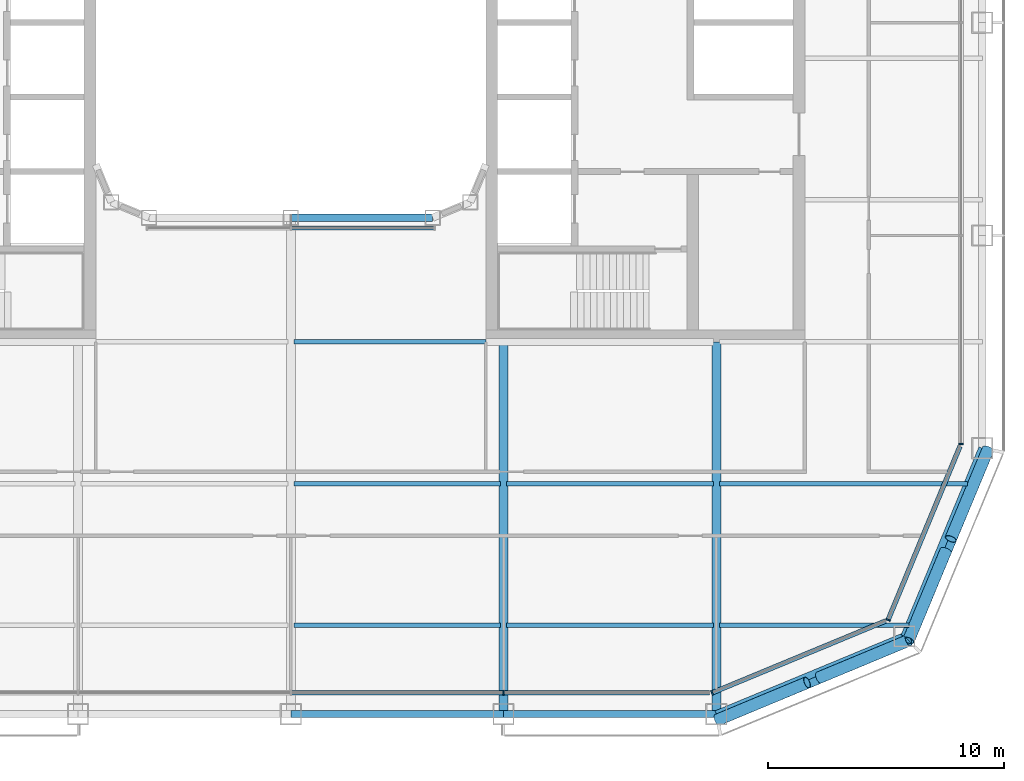
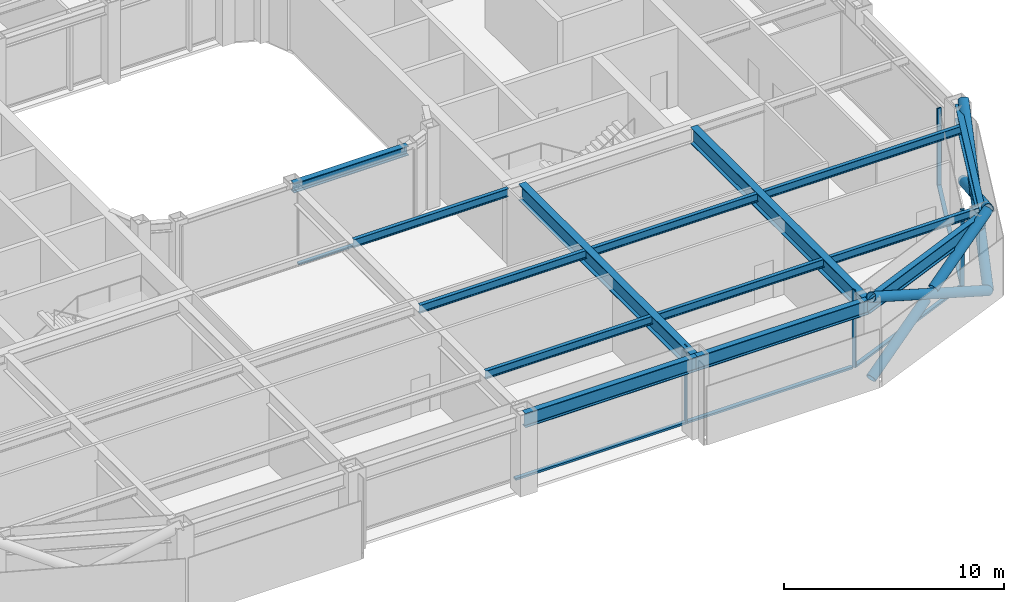
# One storey, part 4 of 21: 15 members, 14 beams, 5 elements without a shape of their own.
"""IFC4 building model written with IfcOpenShell, lengths in metres."""

from ifc_helpers import new_model, si_unit, direction, frame, origin, origin_2d, place, context, subcontext, project, spatial, rectangle, hollow_circle, i_section, extrude, material, layer, layer_set, material_profile, profile_set, type_object, element, aggregate, save


model = new_model("IFC4")

# Units and contexts
model_context = context("Model", 3, precision=1e-05, world=origin(), true_north=direction((0.0, 1.0)))
body_context = subcontext(model_context, "Body", "Model", "MODEL_VIEW")
ifc_project = project(units=[si_unit("LENGTHUNIT", "METRE"), si_unit("AREAUNIT", "SQUARE_METRE"), si_unit("VOLUMEUNIT", "CUBIC_METRE"), si_unit("PLANEANGLEUNIT", "RADIAN"), si_unit("MASSUNIT", "GRAM", prefix="KILO")], contexts=[model_context])

# Site, building, storey
site_placement = place(None, origin())
site = spatial("IfcSite", under=ifc_project, at=site_placement, CompositionType="ELEMENT")
building_placement = place(site_placement, origin())
building = spatial("IfcBuilding", under=site, at=building_placement, Name="Siwar Civic Tower", CompositionType="ELEMENT")
storey_placement = place(building_placement, frame((0.0, 0.0, 176.699951171875)))
storey = spatial("IfcBuildingStorey", under=building, at=storey_placement, Name="L38", CompositionType="ELEMENT", Elevation=176.699951171875)

# Curtain wall, member
ifc_material_1 = material(Name="Aluminium and glass", Category="aluminium")
ifc_layer_1 = layer(ifc_material_1, 0.199951171875)
ifc_layer_set_1 = layer_set([ifc_layer_1], Name="Aluminium and glass")
curtain_wall_type_1 = type_object("IfcCurtainWallType", Name="ENV-CW-B", PredefinedType="NOTDEFINED", material=ifc_layer_set_1)
curtain_wall_1_placement = place(storey_placement, origin())
curtain_wall_1 = element("IfcCurtainWall", 1, at=curtain_wall_1_placement, inside=storey, type_object=curtain_wall_type_1, Name="Curtain wall B S", PredefinedType="NOTDEFINED")
ifc_material_2 = material(Name="Aluminium 6063-T6", Category="aluminium")
ifc_material_profile_1 = material_profile(ifc_material_2, rectangle(XDim=0.199951171875, YDim=0.06494140625, at=origin_2d()), Name="AL 200x65")
ifc_profile_set_1 = profile_set([ifc_material_profile_1], Name="Aluminium 6063-T6")
member_type_1 = type_object("IfcMemberType", Name="ENV-MULLION-B", PredefinedType="MULLION", material=ifc_profile_set_1)
member_1_placement = place(storey_placement, frame((9.0, -28.35009765625, 0.0), z_axis=(0.0, 0.0, 1.0), x_axis=(0.0, 1.0, 0.0)))
member_1 = element("IfcMember", 2, at=member_1_placement, type_object=member_type_1, Name="Mullion B S 4", PredefinedType="MULLION", context=body_context, shape_type="SweptSolid", body=[
    extrude(rectangle(XDim=0.199951171875, YDim=0.06494140625, at=origin_2d()), origin(), (0.0, 0.0, 1.0), 4.300048828125),
])

ifc_material_3 = material(Name="Aluminium clad insulated panel", Category="aluminium")
ifc_layer_2 = layer(ifc_material_3, 0.199951171875)
ifc_layer_set_2 = layer_set([ifc_layer_2], Name="Aluminium clad insulated panel")
curtain_wall_type_2 = type_object("IfcCurtainWallType", Name="ENV-CW-BX", PredefinedType="NOTDEFINED", material=ifc_layer_set_2)
curtain_wall_2_placement = place(storey_placement, origin())
curtain_wall_2 = element("IfcCurtainWall", 3, at=curtain_wall_2_placement, inside=storey, type_object=curtain_wall_type_2, Name="Curtain wall B SE1", PredefinedType="NOTDEFINED")
member_2_placement = place(storey_placement, frame((17.821044921875, -28.35009765625, 0.0), z_axis=(0.0, 0.0, 1.0), x_axis=(-0.382683432365, 0.923879532511, 0.0)))
member_2 = element("IfcMember", 4, at=member_2_placement, type_object=member_type_1, Name="Mullion B SE1 1", PredefinedType="MULLION", context=body_context, shape_type="SweptSolid", body=[
    extrude(rectangle(XDim=0.199951171875, YDim=0.06494140625, at=origin_2d()), origin(), (0.0, 0.0, 1.0), 4.300048828125),
])

curtain_wall_3_placement = place(storey_placement, origin())
curtain_wall_3 = element("IfcCurtainWall", 5, at=curtain_wall_3_placement, inside=storey, type_object=curtain_wall_type_2, Name="Curtain wall B SE2", PredefinedType="NOTDEFINED")
member_3_placement = place(storey_placement, frame((25.26611328125, -25.26611328125, 0.0), z_axis=(0.0, 0.0, 1.0), x_axis=(-0.923879532511, 0.382683432365, 0.0)))
member_3 = element("IfcMember", 6, at=member_3_placement, type_object=member_type_1, Name="Mullion B SE2 1", PredefinedType="MULLION", context=body_context, shape_type="SweptSolid", body=[
    extrude(rectangle(XDim=0.199951171875, YDim=0.06494140625, at=origin_2d()), origin(), (0.0, 0.0, 1.0), 4.300048828125),
])

curtain_wall_4_placement = place(storey_placement, origin())
curtain_wall_4 = element("IfcCurtainWall", 7, at=curtain_wall_4_placement, inside=storey, type_object=curtain_wall_type_1, Name="Curtain wall B E", PredefinedType="NOTDEFINED")
member_4_placement = place(storey_placement, frame((28.35009765625, -17.821044921875, 0.0), z_axis=(0.0, 0.0, 1.0), x_axis=(-1.0, 0.0, 0.0)))
member_4 = element("IfcMember", 8, at=member_4_placement, type_object=member_type_1, Name="Mullion B E 1", PredefinedType="MULLION", context=body_context, shape_type="SweptSolid", body=[
    extrude(rectangle(XDim=0.199951171875, YDim=0.06494140625, at=origin_2d()), origin(), (0.0, 0.0, 1.0), 4.300048828125),
])
aggregate(curtain_wall_4, [member_4])

# Member
ifc_material_4 = material(Name="Aluminium 6063-T6", Category="aluminium")
ifc_material_profile_2 = material_profile(ifc_material_4, rectangle(XDim=0.199951171875, YDim=0.110107421875, at=origin_2d()), Name="AL 200x110")
ifc_profile_set_2 = profile_set([ifc_material_profile_2], Name="Aluminium 6063-T6")
member_type_2 = type_object("IfcMemberType", Name="ENV-TRANSOM-B", PredefinedType="USERDEFINED", material=ifc_profile_set_2)
member_5_placement = place(storey_placement, frame((0.032470703125, -28.35009765625, 0.054931640625), z_axis=(1.0, 0.0, 0.0), x_axis=(0.0, 1.0, 0.0)))
member_5 = element("IfcMember", 9, at=member_5_placement, type_object=member_type_2, Name="Transom B S 3", ObjectType="TRANSOM", PredefinedType="USERDEFINED", context=body_context, shape_type="SweptSolid", body=[
    extrude(rectangle(XDim=0.199951171875, YDim=0.110107421875, at=origin_2d()), origin(), (0.0, 0.0, 1.0), 8.93505859375),
])

member_6_placement = place(storey_placement, frame((9.032470703125, -28.35009765625, 0.054931640625), z_axis=(1.0, 0.0, 0.0), x_axis=(0.0, 1.0, 0.0)))
member_6 = element("IfcMember", 10, at=member_6_placement, type_object=member_type_2, Name="Transom B S 4", ObjectType="TRANSOM", PredefinedType="USERDEFINED", context=body_context, shape_type="SweptSolid", body=[
    extrude(rectangle(XDim=0.199951171875, YDim=0.110107421875, at=origin_2d()), origin(), (0.0, 0.0, 1.0), 8.6748046875),
])

aggregate(curtain_wall_1, [member_1, member_5, member_6])

member_7_placement = place(storey_placement, frame((17.85107421875, -28.337646484375, 0.054931640625), z_axis=(0.92387279587, 0.382699695651, 0.0), x_axis=(-0.382699695651, 0.92387279587, 0.0)))
member_7 = element("IfcMember", 11, at=member_7_placement, type_object=member_type_2, Name="Transom B SE1 1", ObjectType="TRANSOM", PredefinedType="USERDEFINED", context=body_context, shape_type="SweptSolid", body=[
    extrude(rectangle(XDim=0.199951171875, YDim=0.110107421875, at=origin_2d()), origin(), (0.0, 0.0, 1.0), 7.912353515625),
])

aggregate(curtain_wall_2, [member_2, member_7])

member_8_placement = place(storey_placement, frame((25.278564453125, -25.236083984375, 0.054931640625), z_axis=(0.382673358825, 0.923883705044, 0.0), x_axis=(-0.923883705044, 0.382673358825, 0.0)))
member_8 = element("IfcMember", 12, at=member_8_placement, type_object=member_type_2, Name="Transom B SE2 1", ObjectType="TRANSOM", PredefinedType="USERDEFINED", context=body_context, shape_type="SweptSolid", body=[
    extrude(rectangle(XDim=0.199951171875, YDim=0.110107421875, at=origin_2d()), origin(), (0.0, 0.0, 1.0), 7.912353515625),
])

aggregate(curtain_wall_3, [member_3, member_8])

# Curtain wall, member
ifc_material_5 = material(Name="Aluminium and glass", Category="aluminium")
ifc_layer_3 = layer(ifc_material_5, 0.179931640625)
ifc_layer_set_3 = layer_set([ifc_layer_3], Name="Aluminium and glass")
curtain_wall_type_3 = type_object("IfcCurtainWallType", Name="ENV-CW-W", PredefinedType="NOTDEFINED", material=ifc_layer_set_3)
curtain_wall_5_placement = place(storey_placement, origin())
curtain_wall_5 = element("IfcCurtainWall", 13, at=curtain_wall_5_placement, inside=storey, type_object=curtain_wall_type_3, Name="Curtain wall W WS", PredefinedType="NOTDEFINED")
ifc_material_6 = material(Name="Aluminium 6063-T6", Category="aluminium")
ifc_material_profile_3 = material_profile(ifc_material_6, rectangle(XDim=0.179931640625, YDim=0.10009765625, at=origin_2d()), Name="AL 180x100")
ifc_profile_set_3 = profile_set([ifc_material_profile_3], Name="Aluminium 6063-T6")
member_type_3 = type_object("IfcMemberType", Name="ENV-TRANSOM-W", PredefinedType="USERDEFINED", material=ifc_profile_set_3)
member_9_placement = place(storey_placement, frame((0.030029296875, -8.68505859375, 0.050048828125), z_axis=(1.0, 0.0, 0.0), x_axis=(0.0, 1.0, 0.0)))
member_9 = element("IfcMember", 14, at=member_9_placement, type_object=member_type_3, Name="Transom W WS 2", ObjectType="TRANSOM", PredefinedType="USERDEFINED", context=body_context, shape_type="SweptSolid", body=[
    extrude(rectangle(XDim=0.179931640625, YDim=0.10009765625, at=origin_2d()), origin(), (0.0, 0.0, 1.0), 6.026611328125),
])
aggregate(curtain_wall_5, [member_9])

# Members
ifc_material_7 = material(Name="Steel S355", Category="steel")
ifc_material_profile_4 = material_profile(ifc_material_7, hollow_circle(Radius=0.25390625, WallThickness=0.02490234375, at=origin_2d()), Name="CHS508x25")
ifc_profile_set_4 = profile_set([ifc_material_profile_4], Name="Steel S355")
member_type_4 = type_object("IfcMemberType", Name="STR-BR-CHS508x25", PredefinedType="BRACE", material=ifc_profile_set_4)
member_10_placement = place(storey_placement, frame((26.1318359375, -26.1318359375, 0.0), z_axis=(0.341671493852, 0.821142553604, 0.457149315816), x_axis=(-0.923264922524, 0.384163874976, 0.0)))
element("IfcMember", 15, at=member_10_placement, inside=storey, type_object=member_type_4, Name="L38/brc/BSE1-17-0-1", PredefinedType="BRACE", context=body_context, shape_type="SweptSolid", body=[
    extrude(hollow_circle(Radius=0.25390625, WallThickness=0.02490234375, at=origin_2d()), origin(), (0.0, 0.0, 1.0), 9.843505859375),
])
for number, where, z_axis, x_axis, name in (
    (16, (29.4951171875, -18.048828125, 0.0), (-0.341677318012, -0.821126041429, 0.457174621391), (0.923259859753, -0.384176042158, 0.0), "L38/brc/BSE1-17-0-2"),
    (17, (27.70849609375, -22.342529296875, 2.390625), (-0.341670737976, -0.821163134736, 0.457112910516), (0.923268638995, -0.384154943021, 0.0), "L38/brc/BSE1-17-0-3"),
):
    element("IfcMember", number, at=place(storey_placement, frame(where, z_axis=z_axis, x_axis=x_axis)), inside=storey, type_object=member_type_4, Name=name, PredefinedType="BRACE", context=body_context, shape_type="SweptSolid", body=[
        extrude(hollow_circle(Radius=0.25390625, WallThickness=0.02490234375, at=origin_2d()), origin(), (0.0, 0.0, 1.0), 4.614501953125),
    ])
member_11_placement = place(storey_placement, frame((26.1318359375, -26.1318359375, 0.0), z_axis=(-0.821142553604, -0.341671493852, 0.457149315816), x_axis=(0.384163874976, -0.923264922524, 0.0)))
element("IfcMember", 18, at=member_11_placement, inside=storey, type_object=member_type_4, Name="L38/brc/BSE1-17-0-0", PredefinedType="BRACE", context=body_context, shape_type="SweptSolid", body=[
    extrude(hollow_circle(Radius=0.25390625, WallThickness=0.02490234375, at=origin_2d()), origin(), (0.0, 0.0, 1.0), 9.843505859375),
])
for number, where, z_axis, x_axis, name in (
    (19, (18.048828125, -29.4951171875, 0.0), (0.821126041429, 0.341677318012, 0.457174621391), (-0.384176042158, 0.923259859753, 0.0), "L38/brc/BSE1-17-0-4"),
    (20, (22.342529296875, -27.70849609375, 2.390625), (0.821163134736, 0.341670737976, 0.457112910516), (-0.384154943021, 0.923268638995, 0.0), "L38/brc/BSE1-17-0-5"),
):
    element("IfcMember", number, at=place(storey_placement, frame(where, z_axis=z_axis, x_axis=x_axis)), inside=storey, type_object=member_type_4, Name=name, PredefinedType="BRACE", context=body_context, shape_type="SweptSolid", body=[
        extrude(hollow_circle(Radius=0.25390625, WallThickness=0.02490234375, at=origin_2d()), origin(), (0.0, 0.0, 1.0), 4.614501953125),
    ])

# Beams
ifc_material_8 = material(Name="Steel S355", Category="steel")
ifc_material_profile_5 = material_profile(ifc_material_8, i_section(OverallWidth=0.18994140625, OverallDepth=0.449951171875, WebThickness=0.009521484375, FlangeThickness=0.0146484375, FilletRadius=0.02099609375, at=origin_2d()), Name="IPE450")
ifc_profile_set_5 = profile_set([ifc_material_profile_5], Name="Steel S355")
beam_type_1 = type_object("IfcBeamType", Name="STR-FB-IPE450", PredefinedType="JOIST", material=ifc_profile_set_5)
for number, where, z_axis, x_axis, name in (
    (21, (0.1298828125, -25.5, 4.074951171875), (1.0, 0.0, 0.0), (0.0, 1.0, 0.0), "L38/bm/F004"),
    (22, (9.1298828125, -25.5, 4.074951171875), (1.0, 0.0, 0.0), (0.0, 1.0, 0.0), "L38/bm/F005"),
):
    element("IfcBeam", number, at=place(storey_placement, frame(where, z_axis=z_axis, x_axis=x_axis)), inside=storey, type_object=beam_type_1, Name=name, PredefinedType="JOIST", context=body_context, shape_type="SweptSolid", body=[
        extrude(i_section(OverallWidth=0.18994140625, OverallDepth=0.449951171875, WebThickness=0.009521484375, FlangeThickness=0.0146484375, FilletRadius=0.02099609375, at=origin_2d()), origin(), (0.0, 0.0, 1.0), 8.740234375),
    ])
beam_1_placement = place(storey_placement, frame((18.1298828125, -25.5, 4.074951171875), z_axis=(1.0, 0.0, 0.0), x_axis=(0.0, 1.0, 0.0)))
element("IfcBeam", 23, at=beam_1_placement, inside=storey, type_object=beam_type_1, Name="L38/bm/F006", PredefinedType="JOIST", context=body_context, shape_type="SweptSolid", body=[
    extrude(i_section(OverallWidth=0.18994140625, OverallDepth=0.449951171875, WebThickness=0.009521484375, FlangeThickness=0.0146484375, FilletRadius=0.02099609375, at=origin_2d()), origin(), (0.0, 0.0, 1.0), 8.013427734375),
])
for number, where, z_axis, x_axis, name in (
    (24, (0.1298828125, -19.5, 4.074951171875), (1.0, 0.0, 0.0), (0.0, 1.0, 0.0), "L38/bm/F010"),
    (25, (9.1298828125, -19.5, 4.074951171875), (1.0, 0.0, 0.0), (0.0, 1.0, 0.0), "L38/bm/F011"),
):
    element("IfcBeam", number, at=place(storey_placement, frame(where, z_axis=z_axis, x_axis=x_axis)), inside=storey, type_object=beam_type_1, Name=name, PredefinedType="JOIST", context=body_context, shape_type="SweptSolid", body=[
        extrude(i_section(OverallWidth=0.18994140625, OverallDepth=0.449951171875, WebThickness=0.009521484375, FlangeThickness=0.0146484375, FilletRadius=0.02099609375, at=origin_2d()), origin(), (0.0, 0.0, 1.0), 8.740234375),
    ])
beam_2_placement = place(storey_placement, frame((18.1298828125, -19.5, 4.074951171875), z_axis=(1.0, 0.0, 0.0), x_axis=(0.0, 1.0, 0.0)))
element("IfcBeam", 26, at=beam_2_placement, inside=storey, type_object=beam_type_1, Name="L38/bm/F012", PredefinedType="JOIST", context=body_context, shape_type="SweptSolid", body=[
    extrude(i_section(OverallWidth=0.18994140625, OverallDepth=0.449951171875, WebThickness=0.009521484375, FlangeThickness=0.0146484375, FilletRadius=0.02099609375, at=origin_2d()), origin(), (0.0, 0.0, 1.0), 10.498779296875),
])
beam_3_placement = place(storey_placement, frame((0.1298828125, -13.5, 4.074951171875), z_axis=(1.0, 0.0, 0.0), x_axis=(0.0, 1.0, 0.0)))
element("IfcBeam", 27, at=beam_3_placement, inside=storey, type_object=beam_type_1, Name="L38/bm/F017", PredefinedType="JOIST", context=body_context, shape_type="SweptSolid", body=[
    extrude(i_section(OverallWidth=0.18994140625, OverallDepth=0.449951171875, WebThickness=0.009521484375, FlangeThickness=0.0146484375, FilletRadius=0.02099609375, at=origin_2d()), origin(), (0.0, 0.0, 1.0), 8.1201171875),
])
ifc_material_9 = material(Name="Steel S355", Category="steel")
ifc_material_profile_6 = material_profile(ifc_material_9, i_section(OverallWidth=0.3798828125, OverallDepth=0.89990234375, WebThickness=0.01611328125, FlangeThickness=0.035888671875, at=origin_2d()), Name="PG900x380x16x36")
ifc_profile_set_6 = profile_set([ifc_material_profile_6], Name="Steel S355")
beam_type_2 = type_object("IfcBeamType", Name="STR-PG-PG900x380x16x36", PredefinedType="BEAM", material=ifc_profile_set_6)
for number, where, z_axis, x_axis, name in (
    (28, (9.0, -29.25, 3.85009765625), (0.0, 1.0, 0.0), (-1.0, 0.0, 0.0), "L38/bm/G07"),
    (29, (18.0, -29.25, 3.85009765625), (0.0, 1.0, 0.0), (-1.0, 0.0, 0.0), "L38/bm/G09"),
):
    element("IfcBeam", number, at=place(storey_placement, frame(where, z_axis=z_axis, x_axis=x_axis)), inside=storey, type_object=beam_type_2, Name=name, PredefinedType="BEAM", context=body_context, shape_type="SweptSolid", body=[
        extrude(i_section(OverallWidth=0.3798828125, OverallDepth=0.89990234375, WebThickness=0.01611328125, FlangeThickness=0.035888671875, at=origin_2d()), origin(), (0.0, 0.0, 1.0), 15.75),
    ])
ifc_material_10 = material(Name="Steel S355", Category="steel")
ifc_material_profile_7 = material_profile(ifc_material_10, i_section(OverallWidth=0.305908203125, OverallDepth=0.52392578125, WebThickness=0.02099609375, FlangeThickness=0.0400390625, FilletRadius=0.027099609375, at=origin_2d()), Name="HEM500")
ifc_profile_set_7 = profile_set([ifc_material_profile_7], Name="Steel S355")
beam_type_3 = type_object("IfcBeamType", Name="STR-RB-HEM500", PredefinedType="BEAM", material=ifc_profile_set_7)
beam_4_placement = place(storey_placement, frame((0.0, -8.25, 4.0380859375), z_axis=(1.0, 0.0, 0.0), x_axis=(0.0, 1.0, 0.0)))
element("IfcBeam", 30, at=beam_4_placement, inside=storey, type_object=beam_type_3, Name="L38/bm/RS2", PredefinedType="BEAM", context=body_context, shape_type="SweptSolid", body=[
    extrude(i_section(OverallWidth=0.305908203125, OverallDepth=0.52392578125, WebThickness=0.02099609375, FlangeThickness=0.0400390625, FilletRadius=0.027099609375, at=origin_2d()), origin(), (0.0, 0.0, 1.0), 6.0),
])
ifc_material_11 = material(Name="Steel S355", Category="steel")
ifc_material_profile_8 = material_profile(ifc_material_11, i_section(OverallWidth=0.300048828125, OverallDepth=0.800048828125, WebThickness=0.017578125, FlangeThickness=0.032958984375, FilletRadius=0.030029296875, at=origin_2d()), Name="HEB800")
ifc_profile_set_8 = profile_set([ifc_material_profile_8], Name="Steel S355")
beam_type_4 = type_object("IfcBeamType", Name="STR-SB-HEB800", PredefinedType="BEAM", material=ifc_profile_set_8)
for number, where, z_axis, x_axis, name in (
    (31, (0.0, -29.25, 3.900146484375), (1.0, 0.0, 0.0), (0.0, 1.0, 0.0), "L38/bm/SS-2"),
    (32, (9.0, -29.25, 3.900146484375), (1.0, 0.0, 0.0), (0.0, 1.0, 0.0), "L38/bm/SS-3"),
):
    element("IfcBeam", number, at=place(storey_placement, frame(where, z_axis=z_axis, x_axis=x_axis)), inside=storey, type_object=beam_type_4, Name=name, PredefinedType="BEAM", context=body_context, shape_type="SweptSolid", body=[
        extrude(i_section(OverallWidth=0.300048828125, OverallDepth=0.800048828125, WebThickness=0.017578125, FlangeThickness=0.032958984375, FilletRadius=0.030029296875, at=origin_2d()), origin(), (0.0, 0.0, 1.0), 9.0),
    ])
for number, where, z_axis, x_axis, name in (
    (33, (18.0, -29.25, 3.900146484375), (0.923872720536, 0.382699877515, 0.0), (-0.382699877515, 0.923872720536, 0.0), "L38/bm/SSE1-0"),
    (34, (25.954833984375, -25.954833984375, 3.900146484375), (0.382699877515, 0.923872720536, 0.0), (-0.923872720536, 0.382699877515, 0.0), "L38/bm/SSE2-0"),
):
    element("IfcBeam", number, at=place(storey_placement, frame(where, z_axis=z_axis, x_axis=x_axis)), inside=storey, type_object=beam_type_4, Name=name, PredefinedType="BEAM", context=body_context, shape_type="SweptSolid", body=[
        extrude(i_section(OverallWidth=0.300048828125, OverallDepth=0.800048828125, WebThickness=0.017578125, FlangeThickness=0.032958984375, FilletRadius=0.030029296875, at=origin_2d()), origin(), (0.0, 0.0, 1.0), 8.6103515625),
    ])

save(model, "model.ifc")
